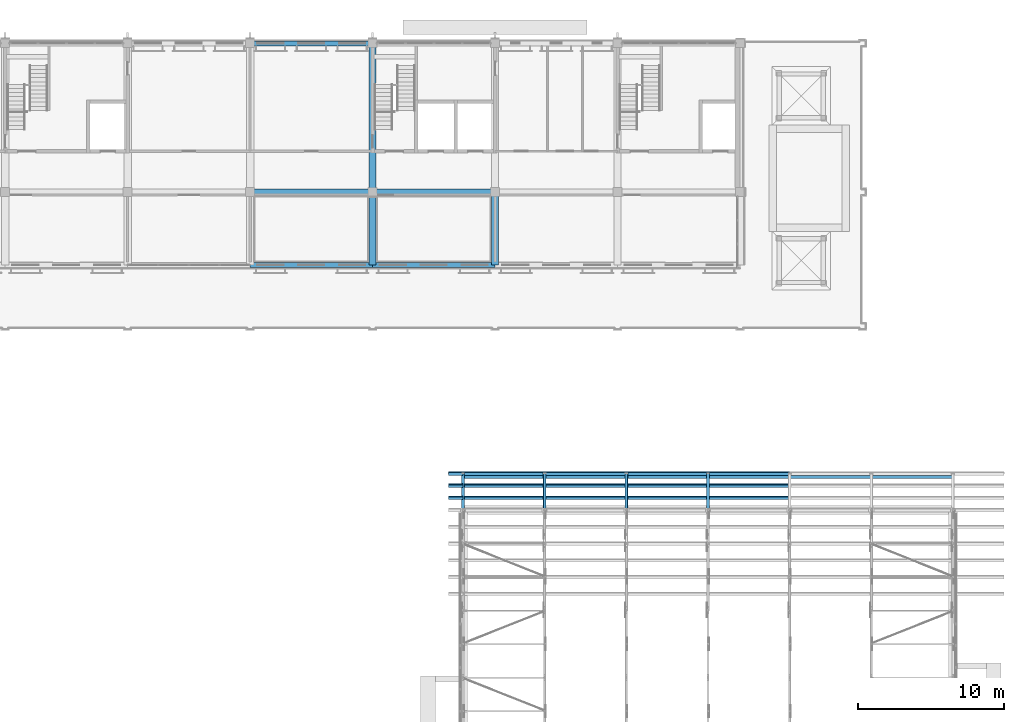
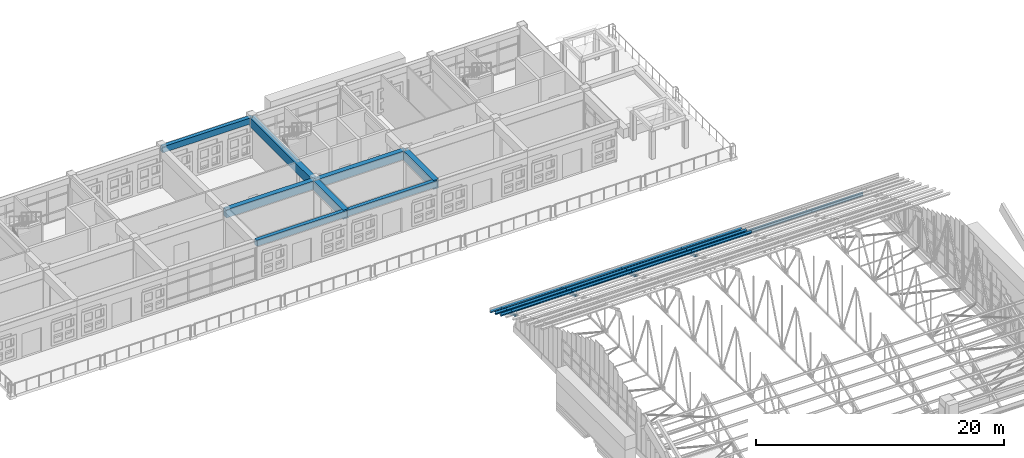
# One storey, part 18 of 71: 19 members, 9 beams.
"""IFC4 building model written with IfcOpenShell, lengths in metres."""

from ifc_helpers import new_model, si_unit, direction, frame, origin, origin_2d, place, context, subcontext, project, spatial, rectangle, hollow_rectangle, i_section, extrude, material, material_profile, profile_set, type_object, element, save


model = new_model("IFC4")

# Units and contexts
model_context = context("Model", 3, precision=1e-05, world=origin(), true_north=direction((0.0, 1.0)))
body_context = subcontext(model_context, "Body", "Model", "MODEL_VIEW")
ifc_project = project(units=[si_unit("LENGTHUNIT", "METRE"), si_unit("AREAUNIT", "SQUARE_METRE"), si_unit("VOLUMEUNIT", "CUBIC_METRE"), si_unit("PLANEANGLEUNIT", "RADIAN"), si_unit("MASSUNIT", "GRAM", prefix="KILO")], contexts=[model_context])

# Site, building, storey
site_placement = place(None, origin())
site = spatial("IfcSite", under=ifc_project, at=site_placement, CompositionType="ELEMENT")
building_placement = place(site_placement, origin())
building = spatial("IfcBuilding", under=site, at=building_placement, Name="Wasatch Bagh Community Centre", CompositionType="ELEMENT")
storey_placement = place(building_placement, frame((0.0, 0.0, 12.60009765625)))
storey = spatial("IfcBuildingStorey", under=building, at=storey_placement, Name="L03", CompositionType="ELEMENT", Elevation=12.60009765625)

# Beams
ifc_material_1 = material(Name="ASTM A992 Grade 50 steel", Category="steel")
ifc_material_profile_1 = material_profile(ifc_material_1, i_section(OverallWidth=0.203369140625, OverallDepth=0.30224609375, WebThickness=0.007568359375, FlangeThickness=0.01318359375, at=origin_2d()), Name="W12x40")
ifc_profile_set_1 = profile_set([ifc_material_profile_1], Name="ASTM A992 Grade 50 steel")
beam_type_1 = type_object("IfcBeamType", Name="CH-E1", PredefinedType="BEAM", material=ifc_profile_set_1)
beam_1_placement = place(storey_placement, frame((112.199951171875, 68.050048828125, 0.360595703125), z_axis=(1.0, 0.0, 0.0), x_axis=(0.0, 1.0, 0.0)))
element("IfcBeam", 1, at=beam_1_placement, inside=storey, type_object=beam_type_1, Name="CH-E1 eave edge beam SH N", PredefinedType="BEAM", context=body_context, shape_type="SweptSolid", body=[
    extrude(i_section(OverallWidth=0.203369140625, OverallDepth=0.30224609375, WebThickness=0.007568359375, FlangeThickness=0.01318359375, at=origin_2d()), origin(), (0.0, 0.0, 1.0), 33.60009765625),
])
ifc_material_2 = material(Name="Concrete C35", Category="concrete")
ifc_material_profile_2 = material_profile(ifc_material_2, rectangle(XDim=0.35009765625, YDim=0.60009765625, at=origin_2d()), Name="RC 350x600")
ifc_profile_set_2 = profile_set([ifc_material_profile_2], Name="Concrete C35")
beam_type_2 = type_object("IfcBeamType", Name="LW RC 350x600", PredefinedType="BEAM", material=ifc_profile_set_2)
for number, where, z_axis, x_axis, name in (
    (2, (97.60009765625, 97.800048828125, 3.619873046875), (1.0, 0.0, 0.0), (0.0, 1.0, 0.0), "W5-W6N"),
    (3, (97.60009765625, 82.60009765625, 3.619873046875), (1.0, 0.0, 0.0), (0.0, 1.0, 0.0), "W5-W6tip"),
    (4, (106.0, 82.60009765625, 3.619873046875), (1.0, 0.0, 0.0), (0.0, 1.0, 0.0), "W6-W7tip"),
):
    element("IfcBeam", number, at=place(storey_placement, frame(where, z_axis=z_axis, x_axis=x_axis)), inside=storey, type_object=beam_type_2, Name=name, PredefinedType="BEAM", context=body_context, shape_type="SweptSolid", body=[
        extrude(rectangle(XDim=0.35009765625, YDim=0.60009765625, at=origin_2d()), origin(), (0.0, 0.0, 1.0), 8.39990234375),
    ])
ifc_material_profile_3 = material_profile(ifc_material_2, rectangle(XDim=0.449951171875, YDim=0.800048828125, at=origin_2d()), Name="RC 450x800")
ifc_profile_set_3 = profile_set([ifc_material_profile_3], Name="Concrete C35")
beam_type_3 = type_object("IfcBeamType", Name="LW RC 450x800", PredefinedType="BEAM", material=ifc_profile_set_3)
for number, where, z_axis, x_axis, name in (
    (5, (97.60009765625, 87.60009765625, 3.52001953125), (1.0, 0.0, 0.0), (0.0, 1.0, 0.0), "W5-W6M"),
    (6, (106.0, 87.60009765625, 3.52001953125), (1.0, 0.0, 0.0), (0.0, 1.0, 0.0), "W6-W7M"),
):
    element("IfcBeam", number, at=place(storey_placement, frame(where, z_axis=z_axis, x_axis=x_axis)), inside=storey, type_object=beam_type_3, Name=name, PredefinedType="BEAM", context=body_context, shape_type="SweptSolid", body=[
        extrude(rectangle(XDim=0.449951171875, YDim=0.800048828125, at=origin_2d()), origin(), (0.0, 0.0, 1.0), 8.39990234375),
    ])
ifc_material_profile_4 = material_profile(ifc_material_2, rectangle(XDim=0.5, YDim=0.89990234375, at=origin_2d()), Name="RC 500x900")
ifc_profile_set_4 = profile_set([ifc_material_profile_4], Name="Concrete C35")
beam_type_4 = type_object("IfcBeamType", Name="LW RC 500x900", PredefinedType="BEAM", material=ifc_profile_set_4)
beam_2_placement = place(storey_placement, frame((106.0, 87.60009765625, 3.469970703125), z_axis=(0.0, 1.0, 0.0), x_axis=(-1.0, 0.0, 0.0)))
element("IfcBeam", 7, at=beam_2_placement, inside=storey, type_object=beam_type_4, Name="W6M-N", PredefinedType="BEAM", context=body_context, shape_type="SweptSolid", body=[
    extrude(rectangle(XDim=0.5, YDim=0.89990234375, at=origin_2d()), origin(), (0.0, 0.0, 1.0), 10.199951171875),
])
for number, where, z_axis, x_axis, name in (
    (8, (106.0, 87.60009765625, 3.469970703125), (0.0, -1.0, 0.0), (1.0, 0.0, 0.0), "W6M-tip"),
    (9, (114.39990234375, 87.60009765625, 3.469970703125), (0.0, -1.0, 0.0), (1.0, 0.0, 0.0), "W7M-tip"),
):
    element("IfcBeam", number, at=place(storey_placement, frame(where, z_axis=z_axis, x_axis=x_axis)), inside=storey, type_object=beam_type_4, Name=name, PredefinedType="BEAM", context=body_context, shape_type="SweptSolid", body=[
        extrude(rectangle(XDim=0.5, YDim=0.89990234375, at=origin_2d()), origin(), (0.0, 0.0, 1.0), 5.0),
    ])

# Members
ifc_material_3 = material(Name="ASTM A500 Grade C steel", Category="steel")
ifc_material_profile_5 = material_profile(ifc_material_3, hollow_rectangle(XDim=0.203125, YDim=0.203125, WallThickness=0.01171875, InnerFilletRadius=0.01171875, OuterFilletRadius=0.023681640625, at=origin_2d()), Name="HSS8x8x1/2")
ifc_profile_set_5 = profile_set([ifc_material_profile_5], Name="ASTM A500 Grade C steel")
member_type_1 = type_object("IfcMemberType", Name="SH HSS8x8x1/2 chord", PredefinedType="CHORD", material=ifc_profile_set_5)
for number, where, z_axis, x_axis, name in (
    (10, (112.199951171875, 65.800537109375, 1.500244140625), (0.0, 0.927165625561, -0.374651708629), (-1.0, 0.0, 0.0), "SH.SA1.TC14"),
    (11, (117.800048828125, 65.800537109375, 1.500244140625), (0.0, 0.927165625561, -0.374651708629), (-1.0, 0.0, 0.0), "SH.SA2.TC14"),
    (12, (123.39990234375, 65.800537109375, 1.500244140625), (0.0, 0.927165625561, -0.374651708629), (-1.0, 0.0, 0.0), "SH.SA3.TC14"),
    (13, (129.0, 65.800537109375, 1.500244140625), (0.0, 0.927165625561, -0.374651708629), (-1.0, 0.0, 0.0), "SH.SA4.TC14"),
):
    element("IfcMember", number, at=place(storey_placement, frame(where, z_axis=z_axis, x_axis=x_axis)), inside=storey, type_object=member_type_1, Name=name, PredefinedType="CHORD", context=body_context, shape_type="SweptSolid", body=[
        extrude(hollow_rectangle(XDim=0.203125, YDim=0.203125, WallThickness=0.01171875, InnerFilletRadius=0.01171875, OuterFilletRadius=0.023681640625, at=origin_2d()), origin(), (0.0, 0.0, 1.0), 2.69580078125),
    ])
ifc_material_profile_6 = material_profile(ifc_material_1, i_section(OverallWidth=0.203125, OverallDepth=0.203125, WebThickness=0.00732421875, FlangeThickness=0.010986328125, at=origin_2d()), Name="W8x31")
ifc_profile_set_6 = profile_set([ifc_material_profile_6], Name="ASTM A992 Grade 50 steel")
member_type_2 = type_object("IfcMemberType", Name="SH W8x31 purlin", PredefinedType="PURLIN", material=ifc_profile_set_6)
for number, where, z_axis, x_axis, name in (
    (14, (112.199951171875, 66.63330078125, 1.3828125), (1.0, 0.0, 0.0), (0.0, 0.927183854567, 0.374606593416), "SH.PUR.b1.PU29"),
    (15, (112.199951171875, 67.466552734375, 1.046142578125), (1.0, 0.0, 0.0), (0.0, 0.927183854567, 0.374606593416), "SH.PUR.b1.PU30"),
    (16, (112.199951171875, 68.300048828125, 0.70947265625), (1.0, 0.0, 0.0), (0.0, 0.927183854567, 0.374606593416), "SH.PUR.b1.PU31"),
):
    element("IfcMember", number, at=place(storey_placement, frame(where, z_axis=z_axis, x_axis=x_axis)), inside=storey, type_object=member_type_2, Name=name, PredefinedType="PURLIN", context=body_context, shape_type="SweptSolid", body=[
        extrude(i_section(OverallWidth=0.203125, OverallDepth=0.203125, WebThickness=0.00732421875, FlangeThickness=0.010986328125, at=origin_2d()), origin(), (0.0, 0.0, 1.0), 5.60009765625),
    ])
for number, where, z_axis, x_axis, name in (
    (17, (117.800048828125, 66.63330078125, 1.3828125), (1.0, 0.0, 0.0), (0.0, 0.927183854567, 0.374606593416), "SH.PUR.b2.PU29"),
    (18, (117.800048828125, 67.466552734375, 1.046142578125), (1.0, 0.0, 0.0), (0.0, 0.927183854567, 0.374606593416), "SH.PUR.b2.PU30"),
    (19, (117.800048828125, 68.300048828125, 0.70947265625), (1.0, 0.0, 0.0), (0.0, 0.927183854567, 0.374606593416), "SH.PUR.b2.PU31"),
):
    element("IfcMember", number, at=place(storey_placement, frame(where, z_axis=z_axis, x_axis=x_axis)), inside=storey, type_object=member_type_2, Name=name, PredefinedType="PURLIN", context=body_context, shape_type="SweptSolid", body=[
        extrude(i_section(OverallWidth=0.203125, OverallDepth=0.203125, WebThickness=0.00732421875, FlangeThickness=0.010986328125, at=origin_2d()), origin(), (0.0, 0.0, 1.0), 5.599853515625),
    ])
for number, where, z_axis, x_axis, name in (
    (20, (123.39990234375, 66.63330078125, 1.3828125), (1.0, 0.0, 0.0), (0.0, 0.927183854567, 0.374606593416), "SH.PUR.b3.PU29"),
    (21, (123.39990234375, 67.466552734375, 1.046142578125), (1.0, 0.0, 0.0), (0.0, 0.927183854567, 0.374606593416), "SH.PUR.b3.PU30"),
    (22, (123.39990234375, 68.300048828125, 0.70947265625), (1.0, 0.0, 0.0), (0.0, 0.927183854567, 0.374606593416), "SH.PUR.b3.PU31"),
    (23, (129.0, 66.63330078125, 1.3828125), (1.0, 0.0, 0.0), (0.0, 0.927183854567, 0.374606593416), "SH.PUR.b4.PU29"),
    (24, (129.0, 67.466552734375, 1.046142578125), (1.0, 0.0, 0.0), (0.0, 0.927183854567, 0.374606593416), "SH.PUR.b4.PU30"),
    (25, (129.0, 68.300048828125, 0.70947265625), (1.0, 0.0, 0.0), (0.0, 0.927183854567, 0.374606593416), "SH.PUR.b4.PU31"),
):
    element("IfcMember", number, at=place(storey_placement, frame(where, z_axis=z_axis, x_axis=x_axis)), inside=storey, type_object=member_type_2, Name=name, PredefinedType="PURLIN", context=body_context, shape_type="SweptSolid", body=[
        extrude(i_section(OverallWidth=0.203125, OverallDepth=0.203125, WebThickness=0.00732421875, FlangeThickness=0.010986328125, at=origin_2d()), origin(), (0.0, 0.0, 1.0), 5.60009765625),
    ])
for number, where, z_axis, x_axis, name in (
    (26, (111.199951171875, 66.63330078125, 1.3828125), (1.0, 0.0, 0.0), (0.0, 0.927183854567, 0.374606593416), "SH.PUR.v1.PU29"),
    (27, (111.199951171875, 67.466552734375, 1.046142578125), (1.0, 0.0, 0.0), (0.0, 0.927183854567, 0.374606593416), "SH.PUR.v1.PU30"),
    (28, (111.199951171875, 68.300048828125, 0.70947265625), (1.0, 0.0, 0.0), (0.0, 0.927183854567, 0.374606593416), "SH.PUR.v1.PU31"),
):
    element("IfcMember", number, at=place(storey_placement, frame(where, z_axis=z_axis, x_axis=x_axis)), inside=storey, type_object=member_type_2, Name=name, PredefinedType="PURLIN", context=body_context, shape_type="SweptSolid", body=[
        extrude(i_section(OverallWidth=0.203125, OverallDepth=0.203125, WebThickness=0.00732421875, FlangeThickness=0.010986328125, at=origin_2d()), origin(), (0.0, 0.0, 1.0), 1.0),
    ])

save(model, "model.ifc")
